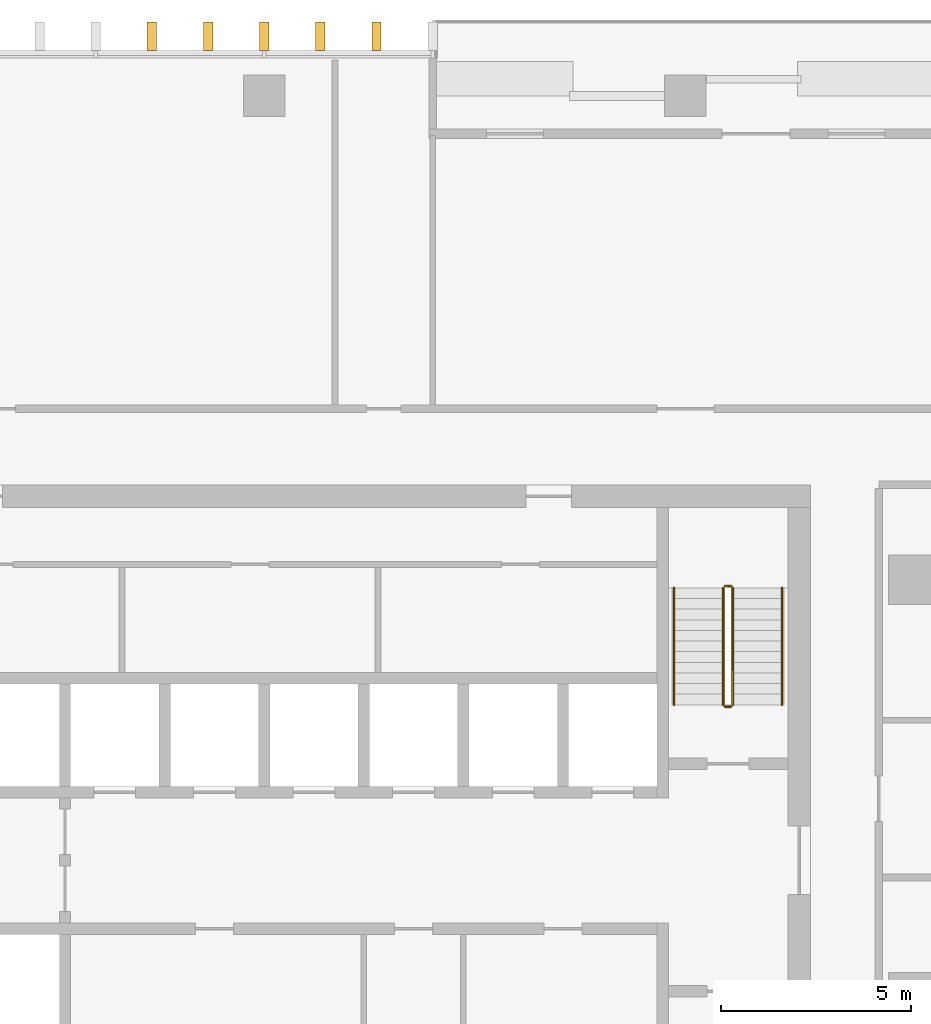
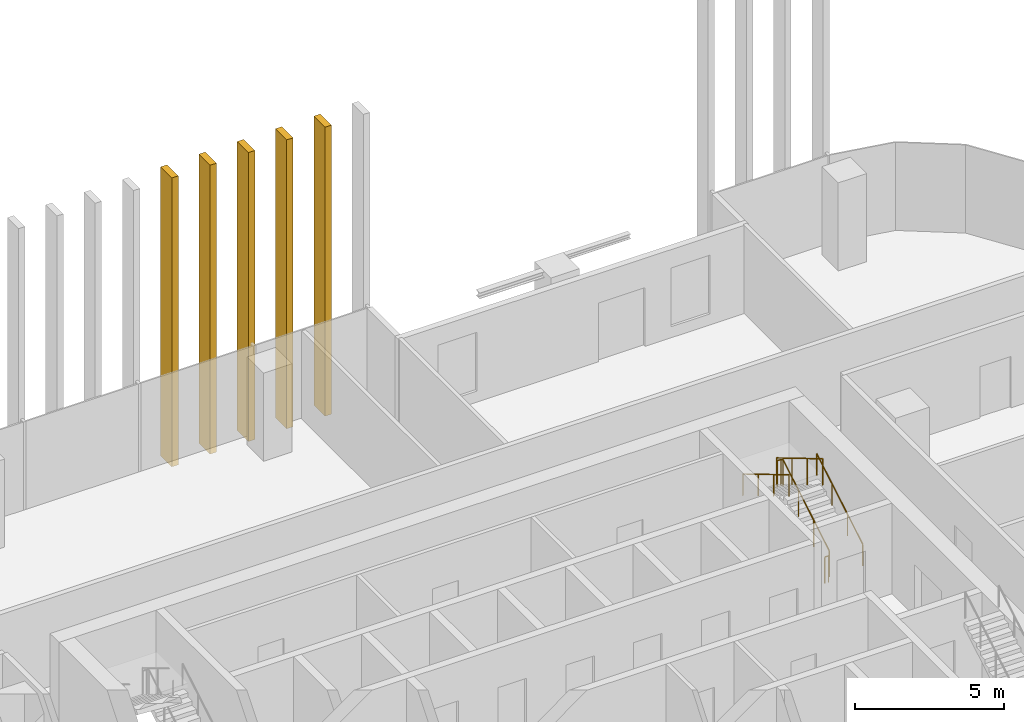
# One storey, part 15 of 16: 5 railings, 5 shading devices.
"""IFC4 building model written with IfcOpenShell, lengths in metres."""

from ifc_helpers import new_model, si_unit, direction, frame, origin, origin_2d, place, context, subcontext, project, spatial, rectangle, circle, extrude, material, type_object, element, save


model = new_model("IFC4")

# Units and contexts
model_context = context("Model", 3, precision=1e-05, world=origin(), true_north=direction((0.0, 1.0)))
body_context = subcontext(model_context, "Body", "Model", "MODEL_VIEW")
ifc_project = project(units=[si_unit("LENGTHUNIT", "METRE"), si_unit("AREAUNIT", "SQUARE_METRE"), si_unit("VOLUMEUNIT", "CUBIC_METRE"), si_unit("PLANEANGLEUNIT", "RADIAN"), si_unit("MASSUNIT", "GRAM", prefix="KILO")], contexts=[model_context])

# Site, building, storey
site_placement = place(None, origin())
site = spatial("IfcSite", under=ifc_project, at=site_placement, CompositionType="ELEMENT")
building_placement = place(site_placement, origin())
building = spatial("IfcBuilding", under=site, at=building_placement, Name="Mopane Tessera Tower", CompositionType="ELEMENT")
storey_placement = place(building_placement, frame((0.0, 0.0, 247.0)))
storey = spatial("IfcBuildingStorey", under=building, at=storey_placement, Name="L53", CompositionType="ELEMENT", Elevation=247.0)

# Shading devices
ifc_material_1 = material(Name="Glazed ceramic tile")
shading_device_type = type_object("IfcShadingDeviceType", Name="Ceramic tile fin 750 x 250 mm", PredefinedType="USERDEFINED", material=ifc_material_1)
for number, where, z_axis, x_axis, name in (
    (1, (2.9599609375, 25.324951171875, -0.39990234375), (0.0, 0.0, 1.0), (-1.0, 0.0, 0.0), "e:fin:L53:N:4:1"),
    (2, (1.47998046875, 25.324951171875, -0.39990234375), (0.0, 0.0, 1.0), (-1.0, 0.0, 0.0), "e:fin:L53:N:4:2"),
    (3, (0.0, 25.324951171875, -0.39990234375), (0.0, 0.0, 1.0), (-1.0, 0.0, 0.0), "e:fin:L53:N:5:0"),
    (4, (-1.47998046875, 25.324951171875, -0.39990234375), (0.0, 0.0, 1.0), (-1.0, 0.0, 0.0), "e:fin:L53:N:5:1"),
    (5, (-2.9599609375, 25.324951171875, -0.39990234375), (0.0, 0.0, 1.0), (-1.0, 0.0, 0.0), "e:fin:L53:N:5:2"),
):
    element("IfcShadingDevice", number, at=place(storey_placement, frame(where, z_axis=z_axis, x_axis=x_axis)), inside=storey, type_object=shading_device_type, Name=name, ObjectType="FIN", PredefinedType="USERDEFINED", context=body_context, shape_type="SweptSolid", body=[
        extrude(rectangle(XDim=0.25, YDim=0.75, at=origin_2d()), origin(), (0.0, 0.0, 1.0), 11.800048828125),
    ])

# Railings
ifc_material_2 = material(Name="Powder-coated steel balustrade", Category="steel")
railing_type_1 = type_object("IfcRailingType", Name="Escape stair guard 1100 mm", PredefinedType="GUARDRAIL", material=ifc_material_2)
railing_1_placement = place(storey_placement, frame((12.35009765625, 7.699951171875, 0.166748046875)))
element("IfcRailing", 6, at=railing_1_placement, inside=storey, type_object=railing_type_1, Name="L53 ST4 stair guard 1", PredefinedType="GUARDRAIL", context=body_context, shape_type="SweptSolid", body=[
    extrude(circle(Radius=0.02392578125, at=origin_2d()), frame((0.0, 0.0, 1.076171875), z_axis=(0.0, 0.859308565015, 0.511457515432), x_axis=(-1.0, 0.0, 0.0)), (0.0, 0.0, 1.0), 3.58447265625),
    extrude(circle(Radius=0.02392578125, at=origin_2d()), frame((0.0, 3.080078125, 2.9091796875), z_axis=(-0.707106781187, 0.707106781187, 0.0), x_axis=(-0.707106781187, -0.707106781187, 0.0)), (0.0, 0.0, 1.0), 0.07080078125),
    extrude(circle(Radius=0.02392578125, at=origin_2d()), frame((-0.050048828125, 3.130126953125, 2.9091796875), z_axis=(-1.0, 0.0, 0.0), x_axis=(0.0, -1.0, 0.0)), (0.0, 0.0, 1.0), 0.150146484375),
    extrude(circle(Radius=0.02099609375, at=origin_2d()), origin(), (0.0, 0.0, 1.0), 1.052001953125),
    extrude(circle(Radius=0.02099609375, at=origin_2d()), frame((0.0, 1.026611328125, 0.611083984375)), (0.0, 0.0, 1.0), 1.052001953125),
    extrude(circle(Radius=0.02099609375, at=origin_2d()), frame((0.0, 2.053466796875, 1.22216796875)), (0.0, 0.0, 1.0), 1.052001953125),
    extrude(circle(Radius=0.02099609375, at=origin_2d()), frame((0.0, 3.080078125, 1.833251953125)), (0.0, 0.0, 1.0), 1.052001953125),
    extrude(circle(Radius=0.02099609375, at=origin_2d()), frame((-0.050048828125, 3.130126953125, 1.833251953125)), (0.0, 0.0, 1.0), 1.052001953125),
    extrude(circle(Radius=0.02099609375, at=origin_2d()), frame((-0.2001953125, 3.130126953125, 1.833251953125)), (0.0, 0.0, 1.0), 1.052001953125),
])
railing_2_placement = place(storey_placement, frame((12.10009765625, 10.780029296875, 2.166748046875)))
element("IfcRailing", 7, at=railing_2_placement, inside=storey, type_object=railing_type_1, Name="L53 ST4 stair guard 2", PredefinedType="GUARDRAIL", context=body_context, shape_type="SweptSolid", body=[
    extrude(circle(Radius=0.02392578125, at=origin_2d()), frame((0.0, 0.0, 1.076171875), z_axis=(0.0, -0.859308565015, 0.511457515432), x_axis=(1.0, 0.0, 0.0)), (0.0, 0.0, 1.0), 3.58447265625),
    extrude(circle(Radius=0.02099609375, at=origin_2d()), origin(), (0.0, 0.0, 1.0), 1.052001953125),
    extrude(circle(Radius=0.02099609375, at=origin_2d()), frame((0.0, -1.026611328125, 0.611083984375)), (0.0, 0.0, 1.0), 1.052001953125),
    extrude(circle(Radius=0.02099609375, at=origin_2d()), frame((0.0, -2.053466796875, 1.22216796875)), (0.0, 0.0, 1.0), 1.052001953125),
    extrude(circle(Radius=0.02099609375, at=origin_2d()), frame((0.0, -3.080078125, 1.833251953125)), (0.0, 0.0, 1.0), 1.052001953125),
])
railing_3_placement = place(storey_placement, frame((12.300048828125, 7.64990234375, 0.0)))
element("IfcRailing", 8, at=railing_3_placement, inside=storey, type_object=railing_type_1, Name="L53 ST4 stair guard 3", PredefinedType="GUARDRAIL", context=body_context, shape_type="SweptSolid", body=[
    extrude(circle(Radius=0.02392578125, at=origin_2d()), frame((0.0, 0.0, 1.076171875), z_axis=(-1.0, 0.0, 0.0), x_axis=(0.0, -1.0, 0.0)), (0.0, 0.0, 1.0), 0.150146484375),
    extrude(circle(Radius=0.02099609375, at=origin_2d()), origin(), (0.0, 0.0, 1.0), 1.052001953125),
    extrude(circle(Radius=0.02099609375, at=origin_2d()), frame((-0.150146484375, 0.0, 0.0)), (0.0, 0.0, 1.0), 1.052001953125),
])
ifc_material_3 = material(Name="Powder-coated steel balustrade", Category="steel")
railing_type_2 = type_object("IfcRailingType", Name="Escape stair handrail 900 mm", PredefinedType="HANDRAIL", material=ifc_material_3)
railing_4_placement = place(storey_placement, frame((13.64990234375, 7.699951171875, 0.166748046875)))
element("IfcRailing", 9, at=railing_4_placement, inside=storey, type_object=railing_type_2, Name="L53 ST4 stair handrail 1", PredefinedType="HANDRAIL", context=body_context, shape_type="SweptSolid", body=[
    extrude(circle(Radius=0.02392578125, at=origin_2d()), frame((0.0, 0.0, 0.8759765625), z_axis=(0.0, 0.859308565015, 0.511457515432), x_axis=(-1.0, 0.0, 0.0)), (0.0, 0.0, 1.0), 3.58447265625),
    extrude(circle(Radius=0.02099609375, at=origin_2d()), origin(), (0.0, 0.0, 1.0), 0.851806640625),
    extrude(circle(Radius=0.02099609375, at=origin_2d()), frame((0.0, 1.026611328125, 0.611083984375)), (0.0, 0.0, 1.0), 0.851806640625),
    extrude(circle(Radius=0.02099609375, at=origin_2d()), frame((0.0, 2.053466796875, 1.22216796875)), (0.0, 0.0, 1.0), 0.851806640625),
    extrude(circle(Radius=0.02099609375, at=origin_2d()), frame((0.0, 3.080078125, 1.833251953125)), (0.0, 0.0, 1.0), 0.851806640625),
])
railing_5_placement = place(storey_placement, frame((10.800048828125, 10.780029296875, 2.166748046875)))
element("IfcRailing", 10, at=railing_5_placement, inside=storey, type_object=railing_type_2, Name="L53 ST4 stair handrail 2", PredefinedType="HANDRAIL", context=body_context, shape_type="SweptSolid", body=[
    extrude(circle(Radius=0.02392578125, at=origin_2d()), frame((0.0, 0.0, 0.8759765625), z_axis=(0.0, -0.859308565015, 0.511457515432), x_axis=(1.0, 0.0, 0.0)), (0.0, 0.0, 1.0), 3.58447265625),
    extrude(circle(Radius=0.02099609375, at=origin_2d()), origin(), (0.0, 0.0, 1.0), 0.851806640625),
    extrude(circle(Radius=0.02099609375, at=origin_2d()), frame((0.0, -1.026611328125, 0.611083984375)), (0.0, 0.0, 1.0), 0.851806640625),
    extrude(circle(Radius=0.02099609375, at=origin_2d()), frame((0.0, -2.053466796875, 1.22216796875)), (0.0, 0.0, 1.0), 0.851806640625),
    extrude(circle(Radius=0.02099609375, at=origin_2d()), frame((0.0, -3.080078125, 1.833251953125)), (0.0, 0.0, 1.0), 0.851806640625),
])

save(model, "model.ifc")
